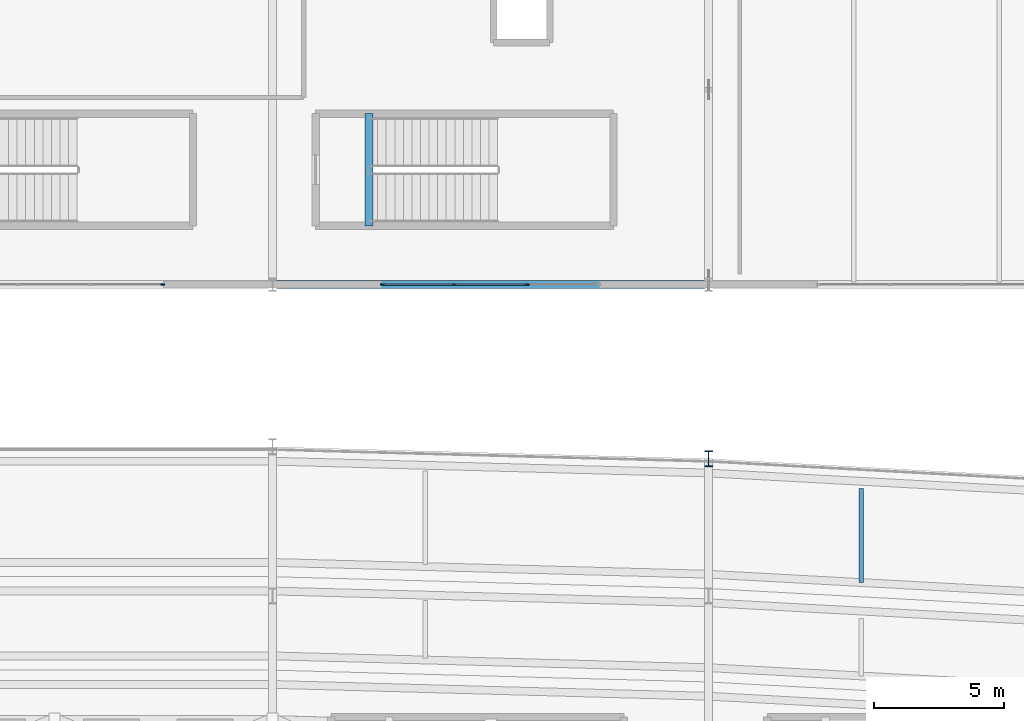
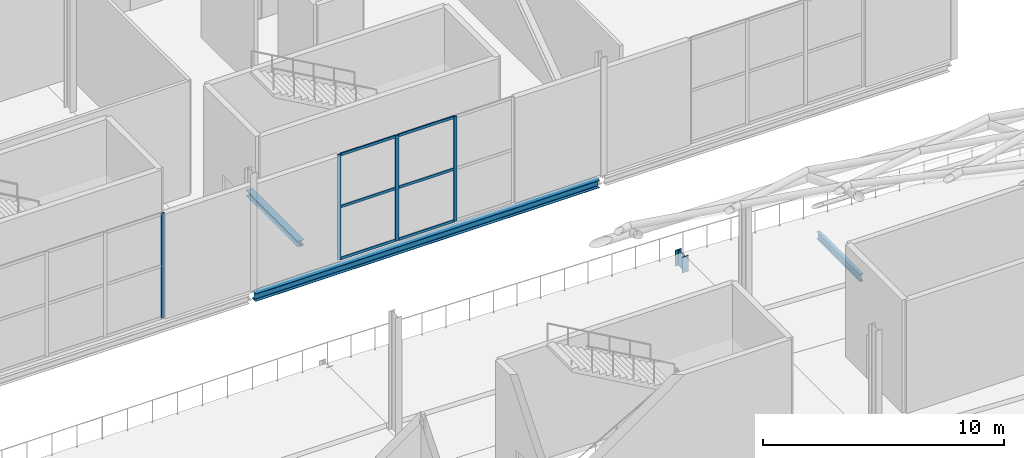
# One storey, part 38 of 100: 11 members, 3 beams, 2 elements without a shape of their own.
"""IFC4 building model written with IfcOpenShell, lengths in metres."""

from ifc_helpers import new_model, si_unit, direction, frame, origin, origin_2d, place, context, subcontext, project, spatial, rectangle, i_section, extrude, material, material_profile, profile_set, type_object, element, aggregate, save


model = new_model("IFC4")

# Units and contexts
model_context = context("Model", 3, precision=1e-05, world=origin(), true_north=direction((0.0, 1.0)))
body_context = subcontext(model_context, "Body", "Model", "MODEL_VIEW")
ifc_project = project(units=[si_unit("LENGTHUNIT", "METRE"), si_unit("AREAUNIT", "SQUARE_METRE"), si_unit("VOLUMEUNIT", "CUBIC_METRE"), si_unit("PLANEANGLEUNIT", "RADIAN"), si_unit("MASSUNIT", "GRAM", prefix="KILO")], contexts=[model_context])

# Site, building, storey
site_placement = place(None, origin())
site = spatial("IfcSite", under=ifc_project, at=site_placement, CompositionType="ELEMENT")
building_placement = place(site_placement, origin())
building = spatial("IfcBuilding", under=site, at=building_placement, Name="Kimbaza Rail Terminus", CompositionType="ELEMENT")
storey_placement = place(building_placement, frame((0.0, 0.0, 10.800048828125)))
storey = spatial("IfcBuildingStorey", under=building, at=storey_placement, Name="L02", CompositionType="ELEMENT", Elevation=10.800048828125)

# Curtain wall, member
ifc_material_1 = material(Name="Anodised aluminium framing and solar low-E glazing", Category="aluminium")
curtain_wall_type = type_object("IfcCurtainWallType", Name="ARC-CW-OP1", PredefinedType="USERDEFINED", material=ifc_material_1)
curtain_wall_1_placement = place(storey_placement, origin())
curtain_wall_1 = element("IfcCurtainWall", 1, at=curtain_wall_1_placement, inside=storey, type_object=curtain_wall_type, Name="Operations South Curtain Wall L02 Bay 4", ObjectType="UNITISED CURTAIN WALL", PredefinedType="USERDEFINED")
ifc_material_2 = material(Name="Anodised architectural aluminium", Category="aluminium")
ifc_material_profile_1 = material_profile(ifc_material_2, rectangle(XDim=0.06201171875, YDim=0.1650390625, at=origin_2d()), Name="MULLION 62x165")
ifc_profile_set_1 = profile_set([ifc_material_profile_1], Name="Anodised architectural aluminium")
member_type_1 = type_object("IfcMemberType", Name="ARC-CWM-05", PredefinedType="MULLION", material=ifc_profile_set_1)
member_1_placement = place(storey_placement, frame((118.1689453125, 103.0, 0.0), z_axis=(0.0, 0.0, 1.0), x_axis=(0.0, 1.0, 0.0)))
member_1 = element("IfcMember", 2, at=member_1_placement, type_object=member_type_1, Name="CW-05 mullion 4", PredefinedType="MULLION", context=body_context, shape_type="SweptSolid", body=[
    extrude(rectangle(XDim=0.06201171875, YDim=0.1650390625, at=origin_2d()), origin(), (0.0, 0.0, 1.0), 5.324951171875),
])
aggregate(curtain_wall_1, [member_1])

# Curtain wall, members
curtain_wall_2_placement = place(storey_placement, origin())
curtain_wall_2 = element("IfcCurtainWall", 3, at=curtain_wall_2_placement, inside=storey, type_object=curtain_wall_type, Name="Operations South Curtain Wall L02 Bay 5", ObjectType="UNITISED CURTAIN WALL", PredefinedType="USERDEFINED")
member_2_placement = place(storey_placement, frame((126.631103515625, 103.0, 0.0), z_axis=(0.0, 0.0, 1.0), x_axis=(0.0, 1.0, 0.0)))
member_2 = element("IfcMember", 4, at=member_2_placement, type_object=member_type_1, Name="CW-05 mullion 1", PredefinedType="MULLION", context=body_context, shape_type="SweptSolid", body=[
    extrude(rectangle(XDim=0.06201171875, YDim=0.1650390625, at=origin_2d()), origin(), (0.0, 0.0, 1.0), 5.324951171875),
])
member_3_placement = place(storey_placement, frame((129.39990234375, 103.0, 0.0), z_axis=(0.0, 0.0, 1.0), x_axis=(0.0, 1.0, 0.0)))
member_3 = element("IfcMember", 5, at=member_3_placement, type_object=member_type_1, Name="CW-05 mullion 2", PredefinedType="MULLION", context=body_context, shape_type="SweptSolid", body=[
    extrude(rectangle(XDim=0.06201171875, YDim=0.1650390625, at=origin_2d()), origin(), (0.0, 0.0, 1.0), 5.324951171875),
])
member_4_placement = place(storey_placement, frame((132.199951171875, 103.0, 0.0), z_axis=(0.0, 0.0, 1.0), x_axis=(0.0, 1.0, 0.0)))
member_4 = element("IfcMember", 6, at=member_4_placement, type_object=member_type_1, Name="CW-05 mullion 3", PredefinedType="MULLION", context=body_context, shape_type="SweptSolid", body=[
    extrude(rectangle(XDim=0.06201171875, YDim=0.1650390625, at=origin_2d()), origin(), (0.0, 0.0, 1.0), 5.324951171875),
])
ifc_material_3 = material(Name="Anodised architectural aluminium", Category="aluminium")
ifc_material_profile_2 = material_profile(ifc_material_3, rectangle(XDim=0.06201171875, YDim=0.135009765625, at=origin_2d()), Name="TRANSOM 62x135")
ifc_profile_set_2 = profile_set([ifc_material_profile_2], Name="Anodised architectural aluminium")
member_type_2 = type_object("IfcMemberType", Name="ARC-CWT-05", PredefinedType="USERDEFINED", material=ifc_profile_set_2)
member_5_placement = place(storey_placement, frame((126.662109375, 103.0, 0.031005859375), z_axis=(1.0, 0.0, 0.0), x_axis=(0.0, 1.0, 0.0)))
member_5 = element("IfcMember", 7, at=member_5_placement, type_object=member_type_2, Name="CW-05 transom 1.1", ObjectType="TRANSOM", PredefinedType="USERDEFINED", context=body_context, shape_type="SweptSolid", body=[
    extrude(rectangle(XDim=0.06201171875, YDim=0.135009765625, at=origin_2d()), origin(), (0.0, 0.0, 1.0), 2.706787109375),
])
member_6_placement = place(storey_placement, frame((126.662109375, 103.0, 2.662353515625), z_axis=(1.0, 0.0, 0.0), x_axis=(0.0, 1.0, 0.0)))
member_6 = element("IfcMember", 8, at=member_6_placement, type_object=member_type_2, Name="CW-05 transom 1.2", ObjectType="TRANSOM", PredefinedType="USERDEFINED", context=body_context, shape_type="SweptSolid", body=[
    extrude(rectangle(XDim=0.06201171875, YDim=0.135009765625, at=origin_2d()), origin(), (0.0, 0.0, 1.0), 2.706787109375),
])
member_7_placement = place(storey_placement, frame((126.662109375, 103.0, 5.2939453125), z_axis=(1.0, 0.0, 0.0), x_axis=(0.0, 1.0, 0.0)))
member_7 = element("IfcMember", 9, at=member_7_placement, type_object=member_type_2, Name="CW-05 transom 1.3", ObjectType="TRANSOM", PredefinedType="USERDEFINED", context=body_context, shape_type="SweptSolid", body=[
    extrude(rectangle(XDim=0.06201171875, YDim=0.135009765625, at=origin_2d()), origin(), (0.0, 0.0, 1.0), 2.706787109375),
])
member_8_placement = place(storey_placement, frame((129.430908203125, 103.0, 0.031005859375), z_axis=(1.0, 0.0, 0.0), x_axis=(0.0, 1.0, 0.0)))
member_8 = element("IfcMember", 10, at=member_8_placement, type_object=member_type_2, Name="CW-05 transom 2.1", ObjectType="TRANSOM", PredefinedType="USERDEFINED", context=body_context, shape_type="SweptSolid", body=[
    extrude(rectangle(XDim=0.06201171875, YDim=0.135009765625, at=origin_2d()), origin(), (0.0, 0.0, 1.0), 2.738037109375),
])
member_9_placement = place(storey_placement, frame((129.430908203125, 103.0, 2.662353515625), z_axis=(1.0, 0.0, 0.0), x_axis=(0.0, 1.0, 0.0)))
member_9 = element("IfcMember", 11, at=member_9_placement, type_object=member_type_2, Name="CW-05 transom 2.2", ObjectType="TRANSOM", PredefinedType="USERDEFINED", context=body_context, shape_type="SweptSolid", body=[
    extrude(rectangle(XDim=0.06201171875, YDim=0.135009765625, at=origin_2d()), origin(), (0.0, 0.0, 1.0), 2.738037109375),
])
member_10_placement = place(storey_placement, frame((129.430908203125, 103.0, 5.2939453125), z_axis=(1.0, 0.0, 0.0), x_axis=(0.0, 1.0, 0.0)))
member_10 = element("IfcMember", 12, at=member_10_placement, type_object=member_type_2, Name="CW-05 transom 2.3", ObjectType="TRANSOM", PredefinedType="USERDEFINED", context=body_context, shape_type="SweptSolid", body=[
    extrude(rectangle(XDim=0.06201171875, YDim=0.135009765625, at=origin_2d()), origin(), (0.0, 0.0, 1.0), 2.738037109375),
])
aggregate(curtain_wall_2, [member_2, member_3, member_4, member_5, member_6, member_7, member_8, member_9, member_10])

# Beams
ifc_material_4 = material(Name="Steel S355", Category="steel")
ifc_material_profile_3 = material_profile(ifc_material_4, i_section(OverallWidth=0.300048828125, OverallDepth=0.2900390625, WebThickness=0.008544921875, FlangeThickness=0.013916015625, FilletRadius=0.027099609375, at=origin_2d()), Name="HEA 300")
ifc_profile_set_3 = profile_set([ifc_material_profile_3], Name="Steel S355")
beam_type_1 = type_object("IfcBeamType", Name="STR-BM-HEA300", PredefinedType="SPANDREL", material=ifc_profile_set_3)
beam_1_placement = place(storey_placement, frame((126.1201171875, 105.260009765625, -0.385009765625), z_axis=(0.0, 1.0, 0.0), x_axis=(-1.0, 0.0, 0.0)))
element("IfcBeam", 13, at=beam_1_placement, inside=storey, type_object=beam_type_1, Name="Operations East Exit Stair Landing Trimmer Beam L02", PredefinedType="SPANDREL", context=body_context, shape_type="SweptSolid", body=[
    extrude(i_section(OverallWidth=0.300048828125, OverallDepth=0.2900390625, WebThickness=0.008544921875, FlangeThickness=0.013916015625, FilletRadius=0.027099609375, at=origin_2d()), origin(), (0.0, 0.0, 1.0), 4.320068359375),
])
ifc_material_5 = material(Name="Steel S355", Category="steel")
ifc_material_profile_4 = material_profile(ifc_material_5, i_section(OverallWidth=0.300048828125, OverallDepth=0.389892578125, WebThickness=0.010986328125, FlangeThickness=0.01904296875, FilletRadius=0.027099609375, at=origin_2d()), Name="HEA 400")
ifc_profile_set_4 = profile_set([ifc_material_profile_4], Name="Steel S355")
beam_type_2 = type_object("IfcBeamType", Name="STR-BM-HEA400", PredefinedType="SPANDREL", material=ifc_profile_set_4)
beam_2_placement = place(storey_placement, frame((122.5458984375, 103.0, -0.43505859375), z_axis=(1.0, 0.0, 0.0), x_axis=(0.0, 1.0, 0.0)))
element("IfcBeam", 14, at=beam_2_placement, inside=storey, type_object=beam_type_2, Name="Operations Girder L02 X4-Y0", PredefinedType="SPANDREL", context=body_context, shape_type="SweptSolid", body=[
    extrude(i_section(OverallWidth=0.300048828125, OverallDepth=0.389892578125, WebThickness=0.010986328125, FlangeThickness=0.01904296875, FilletRadius=0.027099609375, at=origin_2d()), origin(), (0.0, 0.0, 1.0), 16.508056640625),
])
ifc_material_6 = material(Name="Steel S355", Category="steel")
ifc_material_profile_5 = material_profile(ifc_material_6, i_section(OverallWidth=0.169921875, OverallDepth=0.360107421875, WebThickness=0.008056640625, FlangeThickness=0.0126953125, FilletRadius=0.01806640625, at=origin_2d()), Name="IPE 360")
ifc_profile_set_5 = profile_set([ifc_material_profile_5], Name="Steel S355")
beam_type_3 = type_object("IfcBeamType", Name="STR-BM-IPE360", PredefinedType="JOIST", material=ifc_profile_set_5)
beam_3_placement = place(storey_placement, frame((145.080078125, 91.526611328125, -0.43994140625), z_axis=(0.0, 1.0, 0.0), x_axis=(-1.0, 0.0, 0.0)))
element("IfcBeam", 15, at=beam_3_placement, inside=storey, type_object=beam_type_3, Name="Viaduct Diaphragm P4 Bay 08", PredefinedType="JOIST", context=body_context, shape_type="SweptSolid", body=[
    extrude(i_section(OverallWidth=0.169921875, OverallDepth=0.360107421875, WebThickness=0.008056640625, FlangeThickness=0.0126953125, FilletRadius=0.01806640625, at=origin_2d()), origin(), (0.0, 0.0, 1.0), 3.610107421875),
])

# Member
ifc_material_7 = material(Name="Steel S355", Category="steel")
ifc_material_profile_6 = material_profile(ifc_material_7, i_section(OverallWidth=0.304931640625, OverallDepth=0.6201171875, WebThickness=0.02099609375, FlangeThickness=0.0400390625, FilletRadius=0.027099609375, at=origin_2d()), Name="HEM 600")
ifc_profile_set_6 = profile_set([ifc_material_profile_6], Name="Steel S355")
member_type_3 = type_object("IfcMemberType", Name="STR-MB-HEM600", PredefinedType="POST", material=ifc_profile_set_6)
member_11_placement = place(storey_placement, frame((139.199951171875, 96.28759765625, -0.800048828125), z_axis=(0.0, 0.0, 1.0), x_axis=(1.0, 0.0, 0.0)))
element("IfcMember", 16, at=member_11_placement, inside=storey, type_object=member_type_3, Name="Vault Springing Shoe Pedestal N VP-08", PredefinedType="POST", context=body_context, shape_type="SweptSolid", body=[
    extrude(i_section(OverallWidth=0.304931640625, OverallDepth=0.6201171875, WebThickness=0.02099609375, FlangeThickness=0.0400390625, FilletRadius=0.027099609375, at=origin_2d()), origin(), (0.0, 0.0, 1.0), 0.800048828125),
])

save(model, "model.ifc")
